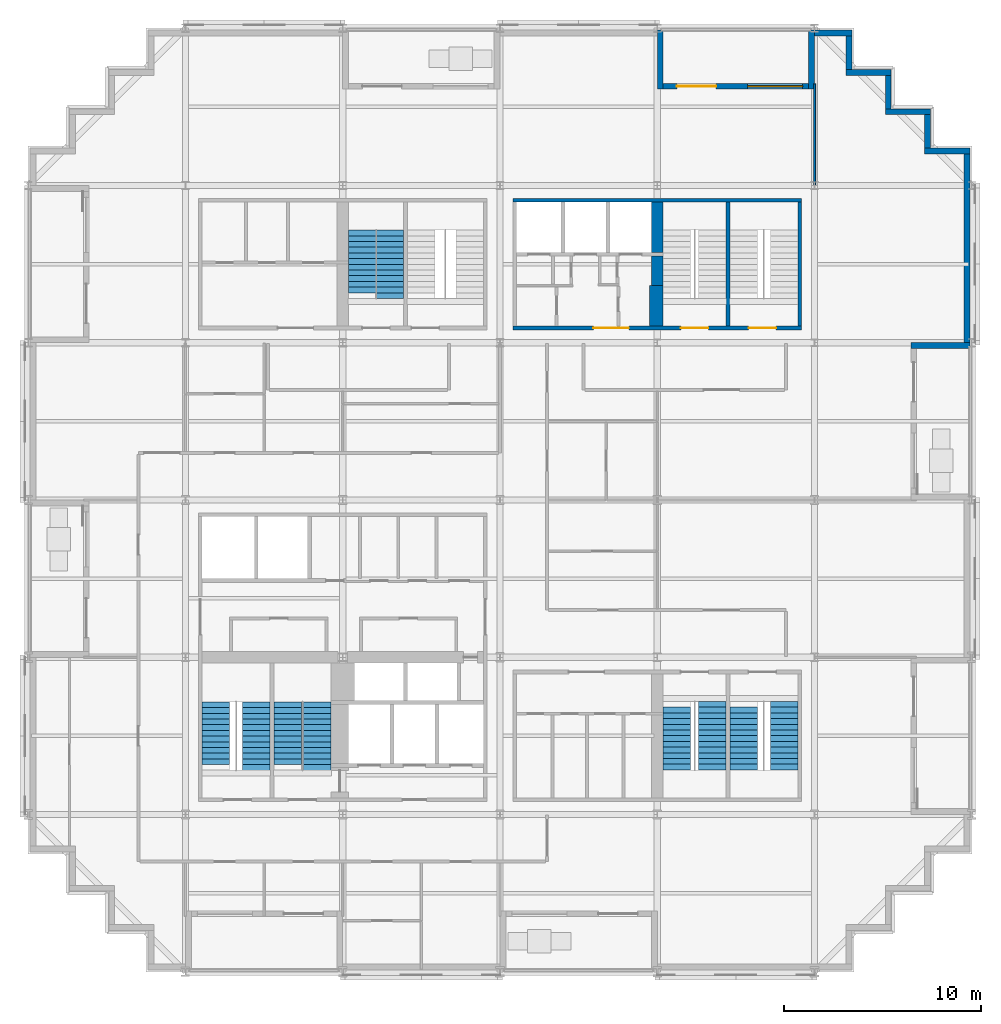
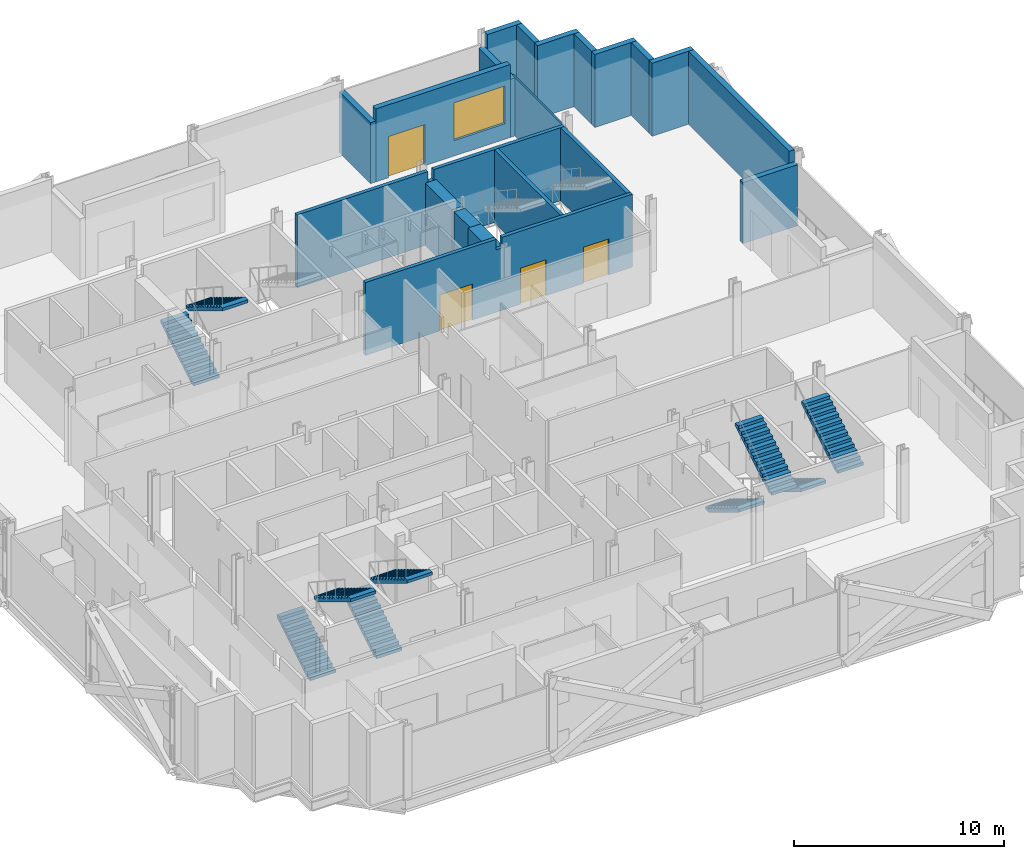
# One storey, part 10 of 14: 20 walls, 10 stair flights, 4 doors, 1 window, 5 openings, 5 elements without a shape of their own.
"""IFC4 building model written with IfcOpenShell, lengths in metres."""

from ifc_helpers import new_model, si_unit, direction, frame, frame_2d, origin, place, context, subcontext, project, spatial, polyline, rectangle, outline, extrude, material, layer, layer_set, type_object, element, fill, aggregate, save


model = new_model("IFC4")

# Units and contexts
model_context = context("Model", 3, precision=1e-05, world=origin(), true_north=direction((0.0, 1.0)))
body_context = subcontext(model_context, "Body", "Model", "MODEL_VIEW")
ifc_project = project(units=[si_unit("LENGTHUNIT", "METRE"), si_unit("AREAUNIT", "SQUARE_METRE"), si_unit("VOLUMEUNIT", "CUBIC_METRE"), si_unit("PLANEANGLEUNIT", "RADIAN"), si_unit("MASSUNIT", "GRAM", prefix="KILO")], contexts=[model_context])

# Site, building, storey
site_placement = place(None, origin())
site = spatial("IfcSite", under=ifc_project, at=site_placement, CompositionType="ELEMENT")
building_placement = place(site_placement, origin())
building = spatial("IfcBuilding", under=site, at=building_placement, Name="Immortelle Media Tower", CompositionType="ELEMENT")
storey_placement = place(building_placement, frame((0.0, 0.0, 39.199951171875)))
storey = spatial("IfcBuildingStorey", under=building, at=storey_placement, Name="L05", CompositionType="ELEMENT", Elevation=39.199951171875)

# Walls
ifc_material_1 = material(Name="Pale aluminium cladding panel", Category="aluminium")
ifc_layer_1 = layer(ifc_material_1, 0.030029296875)
ifc_material_2 = material(Name="Steel ASTM A653 SS Gr 50 stud frame with mineral wool", Category="steel")
ifc_layer_2 = layer(ifc_material_2, 0.257568359375)
ifc_material_3 = material(Name="Moisture-resistant gypsum board", Category="gypsum")
ifc_layer_3 = layer(ifc_material_3, 0.012451171875)
ifc_layer_set_1 = layer_set([ifc_layer_1, ifc_layer_2, ifc_layer_3], Name="Steel ASTM A653 SS Gr 50 stud frame with mineral wool")
wall_type_1 = type_object("IfcWallType", Name="Facade wall 300", PredefinedType="SOLIDWALL", material=ifc_layer_set_1)
wall_1_placement = place(storey_placement, frame((47.89990234375, 31.85009765625, 0.0), z_axis=(0.0, 0.0, 1.0), x_axis=(-1.0, 0.0, 0.0)))
element("IfcWall", 1, at=wall_1_placement, inside=storey, type_object=wall_type_1, Name="Loggia cheek wall L05 E", PredefinedType="SOLIDWALL", context=body_context, shape_type="SweptSolid", body=[
    extrude(rectangle(XDim=3.0, YDim=0.300048828125, at=frame_2d((1.5, 0.0))), origin(), (0.0, 0.0, 1.0), 3.552978515625),
])
wall_2_placement = place(storey_placement, frame((47.75, 32.0, 0.0), z_axis=(0.0, 0.0, 1.0), x_axis=(0.0, 1.0, 0.0)))
element("IfcWall", 2, at=wall_2_placement, inside=storey, type_object=wall_type_1, Name="Facade wall L05 E14", PredefinedType="SOLIDWALL", context=body_context, shape_type="SweptSolid", body=[
    extrude(rectangle(XDim=9.60009765625, YDim=0.300048828125, at=frame_2d((4.800048828125, 0.0))), origin(), (0.0, 0.0, 1.0), 4.25),
])
wall_3_placement = place(storey_placement, frame((47.89990234375, 41.75, 0.0), z_axis=(0.0, 0.0, 1.0), x_axis=(-1.0, 0.0, 0.0)))
element("IfcWall", 3, at=wall_3_placement, inside=storey, type_object=wall_type_1, Name="Facade wall L05 N15", PredefinedType="SOLIDWALL", context=body_context, shape_type="SweptSolid", body=[
    extrude(rectangle(XDim=2.2998046875, YDim=0.300048828125, at=frame_2d((1.14990234375, 0.0))), origin(), (0.0, 0.0, 1.0), 4.25),
])
wall_4_placement = place(storey_placement, frame((45.75, 41.89990234375, 0.0), z_axis=(0.0, 0.0, 1.0), x_axis=(0.0, 1.0, 0.0)))
element("IfcWall", 4, at=wall_4_placement, inside=storey, type_object=wall_type_1, Name="Facade wall L05 E16", PredefinedType="SOLIDWALL", context=body_context, shape_type="SweptSolid", body=[
    extrude(rectangle(XDim=1.7001953125, YDim=0.300048828125, at=frame_2d((0.85009765625, 0.0))), origin(), (0.0, 0.0, 1.0), 4.25),
])
wall_5_placement = place(storey_placement, frame((45.89990234375, 43.75, 0.0), z_axis=(0.0, 0.0, 1.0), x_axis=(-1.0, 0.0, 0.0)))
element("IfcWall", 5, at=wall_5_placement, inside=storey, type_object=wall_type_1, Name="Facade wall L05 N17", PredefinedType="SOLIDWALL", context=body_context, shape_type="SweptSolid", body=[
    extrude(rectangle(XDim=2.2998046875, YDim=0.300048828125, at=frame_2d((1.14990234375, 0.0))), origin(), (0.0, 0.0, 1.0), 4.25),
])
wall_6_placement = place(storey_placement, frame((43.75, 43.89990234375, 0.0), z_axis=(0.0, 0.0, 1.0), x_axis=(0.0, 1.0, 0.0)))
element("IfcWall", 6, at=wall_6_placement, inside=storey, type_object=wall_type_1, Name="Facade wall L05 E18", PredefinedType="SOLIDWALL", context=body_context, shape_type="SweptSolid", body=[
    extrude(rectangle(XDim=1.7001953125, YDim=0.300048828125, at=frame_2d((0.85009765625, 0.0))), origin(), (0.0, 0.0, 1.0), 4.25),
])
wall_7_placement = place(storey_placement, frame((43.89990234375, 45.75, 0.0), z_axis=(0.0, 0.0, 1.0), x_axis=(-1.0, 0.0, 0.0)))
element("IfcWall", 7, at=wall_7_placement, inside=storey, type_object=wall_type_1, Name="Facade wall L05 N19", PredefinedType="SOLIDWALL", context=body_context, shape_type="SweptSolid", body=[
    extrude(rectangle(XDim=2.2998046875, YDim=0.300048828125, at=frame_2d((1.14990234375, 0.0))), origin(), (0.0, 0.0, 1.0), 4.25),
])
wall_8_placement = place(storey_placement, frame((41.75, 45.89990234375, 0.0), z_axis=(0.0, 0.0, 1.0), x_axis=(0.0, 1.0, 0.0)))
element("IfcWall", 8, at=wall_8_placement, inside=storey, type_object=wall_type_1, Name="Facade wall L05 E20", PredefinedType="SOLIDWALL", context=body_context, shape_type="SweptSolid", body=[
    extrude(rectangle(XDim=1.7001953125, YDim=0.300048828125, at=frame_2d((0.85009765625, 0.0))), origin(), (0.0, 0.0, 1.0), 4.25),
])
wall_9_placement = place(storey_placement, frame((41.89990234375, 47.75, 0.0), z_axis=(0.0, 0.0, 1.0), x_axis=(-1.0, 0.0, 0.0)))
element("IfcWall", 9, at=wall_9_placement, inside=storey, type_object=wall_type_1, Name="Facade wall L05 N21", PredefinedType="SOLIDWALL", context=body_context, shape_type="SweptSolid", body=[
    extrude(rectangle(XDim=1.89990234375, YDim=0.300048828125, at=frame_2d((0.949951171875, 0.0))), origin(), (0.0, 0.0, 1.0), 4.25),
])

# Wall, openings, door, window
wall_10_placement = place(storey_placement, frame((39.699951171875, 45.050048828125, 0.0), z_axis=(0.0, 0.0, 1.0), x_axis=(-1.0, 0.0, 0.0)))
wall_10 = element("IfcWall", 10, at=wall_10_placement, inside=storey, type_object=wall_type_1, Name="Loggia wall L05 N21", PredefinedType="SOLIDWALL", context=body_context, shape_type="SweptSolid", body=[
    extrude(rectangle(XDim=7.39990234375, YDim=0.300048828125, at=frame_2d((3.699951171875, 0.0))), origin(), (0.0, 0.0, 1.0), 4.25),
])
opening_1_placement = place(wall_10_placement, frame((0.300048828125, 0.0, 0.89990234375)))
opening_1 = element("IfcOpeningElement", 11, at=opening_1_placement, cuts=wall_10, Name="Opening W1", PredefinedType="OPENING", context=body_context, shape_type="SweptSolid", body=[
    extrude(rectangle(XDim=2.800048828125, YDim=2.199951171875, at=frame_2d((1.39990234375, 1.10009765625))), frame((0.0, 0.159912109375, 0.0), z_axis=(0.0, -1.0, 0.0), x_axis=(1.0, 0.0, 0.0)), (0.0, 0.0, 1.0), 0.320068359375),
])
opening_2_placement = place(wall_10_placement, frame((4.699951171875, 0.0, 0.0)))
opening_2 = element("IfcOpeningElement", 12, at=opening_2_placement, cuts=wall_10, Name="Opening N1-E007", PredefinedType="OPENING", context=body_context, shape_type="SweptSolid", body=[
    extrude(rectangle(XDim=2.0, YDim=2.39990234375, at=frame_2d((1.0, 1.199951171875))), frame((0.0, 0.159912109375, 0.0), z_axis=(0.0, -1.0, 0.0), x_axis=(1.0, 0.0, 0.0)), (0.0, 0.0, 1.0), 0.320068359375),
])
ifc_material_4 = material(Name="Aluminium frame, glazed leaves", Category="aluminium")
door_type_1 = type_object("IfcDoorType", Name="Loggia door 2000 x 2400", OperationType="DOUBLE_DOOR_SINGLE_SWING", PredefinedType="DOOR", material=ifc_material_4)
door_1_placement = place(opening_2_placement, origin())
door_1 = element("IfcDoor", 13, at=door_1_placement, inside=storey, type_object=door_type_1, Name="Door N1-E007", OperationType="DOUBLE_DOOR_SINGLE_SWING", OverallHeight=2.39990234375, OverallWidth=2.0, PredefinedType="DOOR", context=body_context, shape_type="SweptSolid", body=[
    extrude(rectangle(XDim=2.0, YDim=2.39990234375, at=frame_2d((1.0, 1.199951171875))), frame((0.0, 0.02490234375, 0.0), z_axis=(0.0, -1.0, 0.0), x_axis=(1.0, 0.0, 0.0)), (0.0, 0.0, 1.0), 0.050048828125),
])
fill(opening_2, door_1)
ifc_material_5 = material(Name="Aluminium frame", Category="aluminium")
window_type = type_object("IfcWindowType", Name="Window 2800 x 2200", PartitioningType="SINGLE_PANEL", PredefinedType="WINDOW", material=ifc_material_5)
window_placement = place(opening_1_placement, origin())
window = element("IfcWindow", 14, at=window_placement, inside=storey, type_object=window_type, Name="Window L05 L05-R21-B0", OverallHeight=2.199951171875, OverallWidth=2.800048828125, PartitioningType="SINGLE_PANEL", PredefinedType="WINDOW", context=body_context, shape_type="SweptSolid", body=[
    extrude(rectangle(XDim=2.800048828125, YDim=2.199951171875, at=frame_2d((1.39990234375, 1.10009765625))), frame((0.0, 0.030029296875, 0.0), z_axis=(0.0, -1.0, 0.0), x_axis=(1.0, 0.0, 0.0)), (0.0, 0.0, 1.0), 0.06005859375),
])
fill(opening_1, window)

# Walls
wall_11_placement = place(storey_placement, frame((39.85009765625, 47.89990234375, 0.0), z_axis=(0.0, 0.0, 1.0), x_axis=(0.0, -1.0, 0.0)))
element("IfcWall", 15, at=wall_11_placement, inside=storey, type_object=wall_type_1, Name="Loggia cheek wall L05 N", PredefinedType="SOLIDWALL", context=body_context, shape_type="SweptSolid", body=[
    extrude(rectangle(XDim=3.0, YDim=0.300048828125, at=frame_2d((1.5, 0.0))), origin(), (0.0, 0.0, 1.0), 3.39013671875),
])
wall_12_placement = place(storey_placement, frame((32.14990234375, 47.89990234375, 0.0), z_axis=(0.0, 0.0, 1.0), x_axis=(0.0, -1.0, 0.0)))
element("IfcWall", 16, at=wall_12_placement, inside=storey, type_object=wall_type_1, Name="Loggia cheek wall L05 N", PredefinedType="SOLIDWALL", context=body_context, shape_type="SweptSolid", body=[
    extrude(rectangle(XDim=3.0, YDim=0.300048828125, at=frame_2d((1.5, 0.0))), origin(), (0.0, 0.0, 1.0), 3.552978515625),
])
ifc_material_6 = material(Name="Gypsum board", Category="gypsum")
ifc_layer_4 = layer(ifc_material_6, 0.012451171875)
ifc_layer_5 = layer(ifc_material_2, 0.074951171875)
ifc_layer_6 = layer(ifc_material_6, 0.012451171875)
ifc_layer_set_2 = layer_set([ifc_layer_4, ifc_layer_5, ifc_layer_6], Name="Steel ASTM A653 SS Gr 50 stud frame with mineral wool")
wall_type_2 = type_object("IfcWallType", Name="Partition 100", PredefinedType="PARTITIONING", material=ifc_layer_set_2)
wall_13_placement = place(storey_placement, frame((40.0, 40.030029296875, 0.0), z_axis=(0.0, 0.0, 1.0), x_axis=(0.0, 1.0, 0.0)))
element("IfcWall", 17, at=wall_13_placement, inside=storey, type_object=wall_type_2, Name="Partition L05-045", PredefinedType="PARTITIONING", context=body_context, shape_type="SweptSolid", body=[
    extrude(rectangle(XDim=5.139892578125, YDim=0.10009765625, at=frame_2d((2.56982421875, 0.0))), origin(), (0.0, 0.0, 1.0), 3.39111328125),
])

# Wall, openings, doors
ifc_material_7 = material(Name="Concrete C60", Category="concrete")
ifc_layer_7 = layer(ifc_material_7, 0.199951171875)
ifc_layer_set_3 = layer_set([ifc_layer_7], Name="Concrete C60")
wall_type_3 = type_object("IfcWallType", Name="Stair shaft wall 200", PredefinedType="PARTITIONING", material=ifc_layer_set_3)
wall_14_placement = place(storey_placement, frame((24.64990234375, 32.75, 0.0), z_axis=(0.0, 0.0, 1.0), x_axis=(1.0, 0.0, 0.0)))
wall_14 = element("IfcWall", 18, at=wall_14_placement, inside=storey, type_object=wall_type_3, Name="Stair shaft wall NE", PredefinedType="PARTITIONING", context=body_context, shape_type="SweptSolid", body=[
    extrude(outline(polyline([(0.0, 0.0), (14.7001953125, 0.0), (14.699951171875, 4.25), (7.51708984375, 4.25), (7.51611328125, 3.632080078125), (7.18408203125, 3.632080078125), (7.18310546875, 4.25), (0.0, 4.25), (0.0, 0.0)])), frame((0.0, 0.10009765625, 0.0), z_axis=(0.0, -1.0, 0.0), x_axis=(1.0, 0.0, 0.0)), (0.0, 0.0, 1.0), 0.199951171875),
])
opening_3_placement = place(wall_14_placement, frame((4.10009765625, 0.0, 0.0)))
opening_3 = element("IfcOpeningElement", 19, at=opening_3_placement, cuts=wall_14, Name="Opening N1-K030", PredefinedType="OPENING", context=body_context, shape_type="SweptSolid", body=[
    extrude(rectangle(XDim=1.800048828125, YDim=2.10009765625, at=frame_2d((0.89990234375, 1.050048828125))), frame((0.0, 0.10986328125, 0.0), z_axis=(0.0, -1.0, 0.0), x_axis=(1.0, 0.0, 0.0)), (0.0, 0.0, 1.0), 0.219970703125),
])
opening_4_placement = place(wall_14_placement, frame((8.550048828125, 0.0, 0.0)))
opening_4 = element("IfcOpeningElement", 20, at=opening_4_placement, cuts=wall_14, Name="Opening N1-K033", PredefinedType="OPENING", context=body_context, shape_type="SweptSolid", body=[
    extrude(rectangle(XDim=1.39990234375, YDim=2.10009765625, at=frame_2d((0.699951171875, 1.050048828125))), frame((0.0, 0.10986328125, 0.0), z_axis=(0.0, -1.0, 0.0), x_axis=(1.0, 0.0, 0.0)), (0.0, 0.0, 1.0), 0.219970703125),
])
opening_5_placement = place(wall_14_placement, frame((12.0, 0.0, 0.0)))
opening_5 = element("IfcOpeningElement", 21, at=opening_5_placement, cuts=wall_14, Name="Opening N1-K034", PredefinedType="OPENING", context=body_context, shape_type="SweptSolid", body=[
    extrude(rectangle(XDim=1.39990234375, YDim=2.10009765625, at=frame_2d((0.699951171875, 1.050048828125))), frame((0.0, 0.10986328125, 0.0), z_axis=(0.0, -1.0, 0.0), x_axis=(1.0, 0.0, 0.0)), (0.0, 0.0, 1.0), 0.219970703125),
])
ifc_material_8 = material(Name="Galvanised steel door leaf and frame ASTM A653", Category="steel")
door_type_2 = type_object("IfcDoorType", Name="Lift lobby door 1800 x 2100", OperationType="DOUBLE_DOOR_SINGLE_SWING", PredefinedType="NOTDEFINED", material=ifc_material_8)
door_2_placement = place(opening_3_placement, origin())
door_2 = element("IfcDoor", 22, at=door_2_placement, inside=storey, type_object=door_type_2, Name="Lift lobby N1-K030", OperationType="DOUBLE_DOOR_SINGLE_SWING", OverallHeight=2.10009765625, OverallWidth=1.800048828125, PredefinedType="NOTDEFINED", context=body_context, shape_type="SweptSolid", body=[
    extrude(rectangle(XDim=1.800048828125, YDim=2.10009765625, at=frame_2d((0.89990234375, 1.050048828125))), frame((0.0, 0.02490234375, 0.0), z_axis=(0.0, -1.0, 0.0), x_axis=(1.0, 0.0, 0.0)), (0.0, 0.0, 1.0), 0.050048828125),
])
fill(opening_3, door_2)
door_type_3 = type_object("IfcDoorType", Name="Stair door 1400 x 2100", OperationType="DOUBLE_DOOR_SINGLE_SWING", PredefinedType="NOTDEFINED", material=ifc_material_8)
door_3_placement = place(opening_4_placement, origin())
door_3 = element("IfcDoor", 23, at=door_3_placement, inside=storey, type_object=door_type_3, Name="Stair N1-K033", OperationType="DOUBLE_DOOR_SINGLE_SWING", OverallHeight=2.10009765625, OverallWidth=1.39990234375, PredefinedType="NOTDEFINED", context=body_context, shape_type="SweptSolid", body=[
    extrude(rectangle(XDim=1.39990234375, YDim=2.10009765625, at=frame_2d((0.699951171875, 1.050048828125))), frame((0.0, 0.02490234375, 0.0), z_axis=(0.0, -1.0, 0.0), x_axis=(1.0, 0.0, 0.0)), (0.0, 0.0, 1.0), 0.050048828125),
])
fill(opening_4, door_3)
door_4_placement = place(opening_5_placement, origin())
door_4 = element("IfcDoor", 24, at=door_4_placement, inside=storey, type_object=door_type_3, Name="Stair N1-K034", OperationType="DOUBLE_DOOR_SINGLE_SWING", OverallHeight=2.10009765625, OverallWidth=1.39990234375, PredefinedType="NOTDEFINED", context=body_context, shape_type="SweptSolid", body=[
    extrude(rectangle(XDim=1.39990234375, YDim=2.10009765625, at=frame_2d((0.699951171875, 1.050048828125))), frame((0.0, 0.02490234375, 0.0), z_axis=(0.0, -1.0, 0.0), x_axis=(1.0, 0.0, 0.0)), (0.0, 0.0, 1.0), 0.050048828125),
])
fill(opening_5, door_4)

# Walls
wall_15_placement = place(storey_placement, frame((24.64990234375, 39.25, 0.0), z_axis=(0.0, 0.0, 1.0), x_axis=(1.0, 0.0, 0.0)))
element("IfcWall", 25, at=wall_15_placement, inside=storey, type_object=wall_type_3, Name="Stair shaft wall NE", PredefinedType="PARTITIONING", context=body_context, shape_type="SweptSolid", body=[
    extrude(outline(polyline([(0.0, 0.0), (14.7001953125, 0.0), (14.699951171875, 4.25), (7.51708984375, 4.25), (7.51611328125, 3.632080078125), (7.18408203125, 3.632080078125), (7.18310546875, 4.25), (0.0, 4.25), (0.0, 0.0)])), frame((0.0, 0.10009765625, 0.0), z_axis=(0.0, -1.0, 0.0), x_axis=(1.0, 0.0, 0.0)), (0.0, 0.0, 1.0), 0.199951171875),
])
for number, where, z_axis, x_axis, name in (
    (26, (35.60009765625, 32.85009765625, 0.0), (0.0, 0.0, 1.0), (0.0, 1.0, 0.0), "Stair shaft wall NE"),
    (27, (39.25, 32.85009765625, 0.0), (0.0, 0.0, 1.0), (0.0, 1.0, 0.0), "Stair shaft wall NE"),
):
    element("IfcWall", number, at=place(storey_placement, frame(where, z_axis=z_axis, x_axis=x_axis)), inside=storey, type_object=wall_type_3, Name=name, PredefinedType="PARTITIONING", context=body_context, shape_type="SweptSolid", body=[
        extrude(rectangle(XDim=6.2998046875, YDim=0.199951171875, at=frame_2d((3.14990234375, 0.0))), origin(), (0.0, 0.0, 1.0), 4.25),
    ])
ifc_layer_8 = layer(ifc_material_7, 0.60009765625)
ifc_layer_set_4 = layer_set([ifc_layer_8], Name="Concrete C60")
wall_type_4 = type_object("IfcWallType", Name="Stair shaft wall 600", PredefinedType="PARTITIONING", material=ifc_layer_set_4)
wall_16_placement = place(storey_placement, frame((32.0, 34.89990234375, 0.0), z_axis=(0.0, 0.0, 1.0), x_axis=(0.0, 1.0, 0.0)))
element("IfcWall", 28, at=wall_16_placement, inside=storey, type_object=wall_type_4, Name="Stair shaft wall NE", PredefinedType="PARTITIONING", context=body_context, shape_type="SweptSolid", body=[
    extrude(rectangle(XDim=1.5, YDim=0.60009765625, at=frame_2d((0.75, 0.0))), origin(), (0.0, 0.0, 1.0), 3.632080078125),
])
wall_17_placement = place(storey_placement, frame((32.0, 36.60009765625, 0.0), z_axis=(0.0, 0.0, 1.0), x_axis=(0.0, 1.0, 0.0)))
element("IfcWall", 29, at=wall_17_placement, inside=storey, type_object=wall_type_4, Name="Stair shaft wall NE", PredefinedType="PARTITIONING", context=body_context, shape_type="SweptSolid", body=[
    extrude(rectangle(XDim=2.5498046875, YDim=0.60009765625, at=frame_2d((1.27490234375, 0.0))), origin(), (0.0, 0.0, 1.0), 3.632080078125),
])
ifc_layer_9 = layer(ifc_material_7, 0.699951171875)
ifc_layer_set_5 = layer_set([ifc_layer_9], Name="Concrete C60")
wall_type_5 = type_object("IfcWallType", Name="Stair shaft wall 700", PredefinedType="PARTITIONING", material=ifc_layer_set_5)
wall_18_placement = place(storey_placement, frame((31.949951171875, 32.85009765625, 0.0), z_axis=(0.0, 0.0, 1.0), x_axis=(0.0, 1.0, 0.0)))
element("IfcWall", 30, at=wall_18_placement, inside=storey, type_object=wall_type_5, Name="Stair shaft wall NE", PredefinedType="PARTITIONING", context=body_context, shape_type="SweptSolid", body=[
    extrude(rectangle(XDim=2.0498046875, YDim=0.699951171875, at=frame_2d((1.02490234375, 0.0))), origin(), (0.0, 0.0, 1.0), 3.632080078125),
])

# Stair, stair flights
ifc_material_9 = material(Name="Steel ASTM A992 Gr 50", Category="steel")
stair_type = type_object("IfcStairType", Name="Stair with flights", PredefinedType="DOUBLE_RETURN_STAIR", material=ifc_material_9)
stair_1_placement = place(storey_placement, origin())
stair_1 = element("IfcStair", 31, at=stair_1_placement, inside=storey, type_object=stair_type, Name="Exit stair SW1", PredefinedType="DOUBLE_RETURN_STAIR")
stair_flight_type = type_object("IfcStairFlightType", Name="Stair flight 1400", PredefinedType="STRAIGHT", material=ifc_material_9)
stair_flight_1_placement = place(storey_placement, frame((9.550048828125, 10.5400390625, 0.0), z_axis=(0.0, 0.0, 1.0), x_axis=(0.0, 1.0, 0.0)))
stair_flight_1 = element("IfcStairFlight", 32, at=stair_flight_1_placement, type_object=stair_flight_type, Name="ST SW1 flight 1", NumberOfRisers=12, NumberOfTreads=11, PredefinedType="STRAIGHT", RiserHeight=0.176, TreadLength=0.29, context=body_context, shape_type="SweptSolid", body=[
    extrude(outline(polyline([(0.0, 0.0), (0.0, 0.176025390625), (0.2900390625, 0.176025390625), (0.2900390625, 0.35205078125), (0.580078125, 0.35205078125), (0.580078125, 0.528076171875), (0.8701171875, 0.528076171875), (0.8701171875, 0.7041015625), (1.159912109375, 0.7041015625), (1.159912109375, 0.8798828125), (1.449951171875, 0.8798828125), (1.449951171875, 1.055908203125), (1.739990234375, 1.055908203125), (1.739990234375, 1.23193359375), (2.030029296875, 1.23193359375), (2.030029296875, 1.407958984375), (2.320068359375, 1.407958984375), (2.320068359375, 1.583984375), (2.610107421875, 1.583984375), (2.610107421875, 1.760009765625), (2.89990234375, 1.760009765625), (2.89990234375, 1.93603515625), (3.18994140625, 1.93603515625), (3.18994140625, 2.112060546875), (3.18994140625, 1.7607421875), (0.288818359375, 0.0), (0.0, 0.0)])), frame((0.0, 0.699951171875, 0.0), z_axis=(0.0, -1.0, 0.0), x_axis=(1.0, 0.0, 0.0)), (0.0, 0.0, 1.0), 1.39990234375),
])
stair_flight_2_placement = place(storey_placement, frame((11.60009765625, 13.72998046875, 2.112060546875), z_axis=(0.0, 0.0, 1.0), x_axis=(0.0, -1.0, 0.0)))
stair_flight_2 = element("IfcStairFlight", 33, at=stair_flight_2_placement, type_object=stair_flight_type, Name="ST SW1 flight 2", NumberOfRisers=13, NumberOfTreads=12, PredefinedType="STRAIGHT", RiserHeight=0.176, TreadLength=0.29, context=body_context, shape_type="SweptSolid", body=[
    extrude(outline(polyline([(0.0, 0.0), (0.0, 0.176025390625), (0.2900390625, 0.176025390625), (0.2900390625, 0.35205078125), (0.580078125, 0.35205078125), (0.580078125, 0.528076171875), (0.8701171875, 0.528076171875), (0.8701171875, 0.7041015625), (1.159912109375, 0.7041015625), (1.159912109375, 0.8798828125), (1.449951171875, 0.8798828125), (1.449951171875, 1.055908203125), (1.739990234375, 1.055908203125), (1.739990234375, 1.23193359375), (2.030029296875, 1.23193359375), (2.030029296875, 1.407958984375), (2.320068359375, 1.407958984375), (2.320068359375, 1.583984375), (2.610107421875, 1.583984375), (2.610107421875, 1.760009765625), (2.89990234375, 1.760009765625), (2.89990234375, 1.93603515625), (3.18994140625, 1.93603515625), (3.18994140625, 2.112060546875), (3.47998046875, 2.112060546875), (3.47998046875, 2.2880859375), (3.47998046875, 1.936767578125), (0.288818359375, 0.0), (0.0, 0.0)])), frame((0.0, 0.699951171875, 0.0), z_axis=(0.0, -1.0, 0.0), x_axis=(1.0, 0.0, 0.0)), (0.0, 0.0, 1.0), 1.39990234375),
])
aggregate(stair_1, [stair_flight_1, stair_flight_2])

stair_2_placement = place(storey_placement, origin())
stair_2 = element("IfcStair", 34, at=stair_2_placement, inside=storey, type_object=stair_type, Name="Exit stair SW2", PredefinedType="DOUBLE_RETURN_STAIR")
stair_flight_3_placement = place(storey_placement, frame((13.199951171875, 10.5400390625, 0.0), z_axis=(0.0, 0.0, 1.0), x_axis=(0.0, 1.0, 0.0)))
stair_flight_3 = element("IfcStairFlight", 35, at=stair_flight_3_placement, type_object=stair_flight_type, Name="ST SW2 flight 1", NumberOfRisers=12, NumberOfTreads=11, PredefinedType="STRAIGHT", RiserHeight=0.176, TreadLength=0.29, context=body_context, shape_type="SweptSolid", body=[
    extrude(outline(polyline([(0.0, 0.0), (0.0, 0.176025390625), (0.2900390625, 0.176025390625), (0.2900390625, 0.35205078125), (0.580078125, 0.35205078125), (0.580078125, 0.528076171875), (0.8701171875, 0.528076171875), (0.8701171875, 0.7041015625), (1.159912109375, 0.7041015625), (1.159912109375, 0.8798828125), (1.449951171875, 0.8798828125), (1.449951171875, 1.055908203125), (1.739990234375, 1.055908203125), (1.739990234375, 1.23193359375), (2.030029296875, 1.23193359375), (2.030029296875, 1.407958984375), (2.320068359375, 1.407958984375), (2.320068359375, 1.583984375), (2.610107421875, 1.583984375), (2.610107421875, 1.760009765625), (2.89990234375, 1.760009765625), (2.89990234375, 1.93603515625), (3.18994140625, 1.93603515625), (3.18994140625, 2.112060546875), (3.18994140625, 1.7607421875), (0.288818359375, 0.0), (0.0, 0.0)])), frame((0.0, 0.699951171875, 0.0), z_axis=(0.0, -1.0, 0.0), x_axis=(1.0, 0.0, 0.0)), (0.0, 0.0, 1.0), 1.39990234375),
])
stair_flight_4_placement = place(storey_placement, frame((14.699951171875, 13.72998046875, 2.112060546875), z_axis=(0.0, 0.0, 1.0), x_axis=(0.0, -1.0, 0.0)))
stair_flight_4 = element("IfcStairFlight", 36, at=stair_flight_4_placement, type_object=stair_flight_type, Name="ST SW2 flight 2", NumberOfRisers=13, NumberOfTreads=12, PredefinedType="STRAIGHT", RiserHeight=0.176, TreadLength=0.29, context=body_context, shape_type="SweptSolid", body=[
    extrude(outline(polyline([(0.0, 0.0), (0.0, 0.176025390625), (0.2900390625, 0.176025390625), (0.2900390625, 0.35205078125), (0.580078125, 0.35205078125), (0.580078125, 0.528076171875), (0.8701171875, 0.528076171875), (0.8701171875, 0.7041015625), (1.159912109375, 0.7041015625), (1.159912109375, 0.8798828125), (1.449951171875, 0.8798828125), (1.449951171875, 1.055908203125), (1.739990234375, 1.055908203125), (1.739990234375, 1.23193359375), (2.030029296875, 1.23193359375), (2.030029296875, 1.407958984375), (2.320068359375, 1.407958984375), (2.320068359375, 1.583984375), (2.610107421875, 1.583984375), (2.610107421875, 1.760009765625), (2.89990234375, 1.760009765625), (2.89990234375, 1.93603515625), (3.18994140625, 1.93603515625), (3.18994140625, 2.112060546875), (3.47998046875, 2.112060546875), (3.47998046875, 2.2880859375), (3.47998046875, 1.936767578125), (0.288818359375, 0.0), (0.0, 0.0)])), frame((0.0, 0.699951171875, 0.0), z_axis=(0.0, -1.0, 0.0), x_axis=(1.0, 0.0, 0.0)), (0.0, 0.0, 1.0), 1.39990234375),
])
aggregate(stair_2, [stair_flight_3, stair_flight_4])

stair_3_placement = place(storey_placement, origin())
stair_3 = element("IfcStair", 37, at=stair_3_placement, inside=storey, type_object=stair_type, Name="Exit stair SE1", PredefinedType="DOUBLE_RETURN_STAIR")
stair_flight_5_placement = place(storey_placement, frame((33.0, 13.4599609375, 0.0), z_axis=(0.0, 0.0, 1.0), x_axis=(0.0, -1.0, 0.0)))
stair_flight_5 = element("IfcStairFlight", 38, at=stair_flight_5_placement, type_object=stair_flight_type, Name="ST SE1 flight 1", NumberOfRisers=12, NumberOfTreads=11, PredefinedType="STRAIGHT", RiserHeight=0.176, TreadLength=0.29, context=body_context, shape_type="SweptSolid", body=[
    extrude(outline(polyline([(0.0, 0.0), (0.0, 0.176025390625), (0.2900390625, 0.176025390625), (0.2900390625, 0.35205078125), (0.580078125, 0.35205078125), (0.580078125, 0.528076171875), (0.8701171875, 0.528076171875), (0.8701171875, 0.7041015625), (1.159912109375, 0.7041015625), (1.159912109375, 0.8798828125), (1.449951171875, 0.8798828125), (1.449951171875, 1.055908203125), (1.739990234375, 1.055908203125), (1.739990234375, 1.23193359375), (2.030029296875, 1.23193359375), (2.030029296875, 1.407958984375), (2.320068359375, 1.407958984375), (2.320068359375, 1.583984375), (2.610107421875, 1.583984375), (2.610107421875, 1.760009765625), (2.89990234375, 1.760009765625), (2.89990234375, 1.93603515625), (3.18994140625, 1.93603515625), (3.18994140625, 2.112060546875), (3.18994140625, 1.7607421875), (0.288818359375, 0.0), (0.0, 0.0)])), frame((0.0, 0.699951171875, 0.0), z_axis=(0.0, -1.0, 0.0), x_axis=(1.0, 0.0, 0.0)), (0.0, 0.0, 1.0), 1.39990234375),
])
stair_flight_6_placement = place(storey_placement, frame((34.800048828125, 10.27001953125, 2.112060546875), z_axis=(0.0, 0.0, 1.0), x_axis=(0.0, 1.0, 0.0)))
stair_flight_6 = element("IfcStairFlight", 39, at=stair_flight_6_placement, type_object=stair_flight_type, Name="ST SE1 flight 2", NumberOfRisers=13, NumberOfTreads=12, PredefinedType="STRAIGHT", RiserHeight=0.176, TreadLength=0.29, context=body_context, shape_type="SweptSolid", body=[
    extrude(outline(polyline([(0.0, 0.0), (0.0, 0.176025390625), (0.2900390625, 0.176025390625), (0.2900390625, 0.35205078125), (0.580078125, 0.35205078125), (0.580078125, 0.528076171875), (0.8701171875, 0.528076171875), (0.8701171875, 0.7041015625), (1.159912109375, 0.7041015625), (1.159912109375, 0.8798828125), (1.449951171875, 0.8798828125), (1.449951171875, 1.055908203125), (1.739990234375, 1.055908203125), (1.739990234375, 1.23193359375), (2.030029296875, 1.23193359375), (2.030029296875, 1.407958984375), (2.320068359375, 1.407958984375), (2.320068359375, 1.583984375), (2.610107421875, 1.583984375), (2.610107421875, 1.760009765625), (2.89990234375, 1.760009765625), (2.89990234375, 1.93603515625), (3.18994140625, 1.93603515625), (3.18994140625, 2.112060546875), (3.47998046875, 2.112060546875), (3.47998046875, 2.2880859375), (3.47998046875, 1.936767578125), (0.288818359375, 0.0), (0.0, 0.0)])), frame((0.0, 0.699951171875, 0.0), z_axis=(0.0, -1.0, 0.0), x_axis=(1.0, 0.0, 0.0)), (0.0, 0.0, 1.0), 1.39990234375),
])
aggregate(stair_3, [stair_flight_5, stair_flight_6])

stair_4_placement = place(storey_placement, origin())
stair_4 = element("IfcStair", 40, at=stair_4_placement, inside=storey, type_object=stair_type, Name="Exit stair SE2", PredefinedType="DOUBLE_RETURN_STAIR")
stair_flight_7_placement = place(storey_placement, frame((36.39990234375, 13.4599609375, 0.0), z_axis=(0.0, 0.0, 1.0), x_axis=(0.0, -1.0, 0.0)))
stair_flight_7 = element("IfcStairFlight", 41, at=stair_flight_7_placement, type_object=stair_flight_type, Name="ST SE2 flight 1", NumberOfRisers=12, NumberOfTreads=11, PredefinedType="STRAIGHT", RiserHeight=0.176, TreadLength=0.29, context=body_context, shape_type="SweptSolid", body=[
    extrude(outline(polyline([(0.0, 0.0), (0.0, 0.176025390625), (0.2900390625, 0.176025390625), (0.2900390625, 0.35205078125), (0.580078125, 0.35205078125), (0.580078125, 0.528076171875), (0.8701171875, 0.528076171875), (0.8701171875, 0.7041015625), (1.159912109375, 0.7041015625), (1.159912109375, 0.8798828125), (1.449951171875, 0.8798828125), (1.449951171875, 1.055908203125), (1.739990234375, 1.055908203125), (1.739990234375, 1.23193359375), (2.030029296875, 1.23193359375), (2.030029296875, 1.407958984375), (2.320068359375, 1.407958984375), (2.320068359375, 1.583984375), (2.610107421875, 1.583984375), (2.610107421875, 1.760009765625), (2.89990234375, 1.760009765625), (2.89990234375, 1.93603515625), (3.18994140625, 1.93603515625), (3.18994140625, 2.112060546875), (3.18994140625, 1.7607421875), (0.288818359375, 0.0), (0.0, 0.0)])), frame((0.0, 0.699951171875, 0.0), z_axis=(0.0, -1.0, 0.0), x_axis=(1.0, 0.0, 0.0)), (0.0, 0.0, 1.0), 1.39990234375),
])
stair_flight_8_placement = place(storey_placement, frame((38.449951171875, 10.27001953125, 2.112060546875), z_axis=(0.0, 0.0, 1.0), x_axis=(0.0, 1.0, 0.0)))
stair_flight_8 = element("IfcStairFlight", 42, at=stair_flight_8_placement, type_object=stair_flight_type, Name="ST SE2 flight 2", NumberOfRisers=13, NumberOfTreads=12, PredefinedType="STRAIGHT", RiserHeight=0.176, TreadLength=0.29, context=body_context, shape_type="SweptSolid", body=[
    extrude(outline(polyline([(0.0, 0.0), (0.0, 0.176025390625), (0.2900390625, 0.176025390625), (0.2900390625, 0.35205078125), (0.580078125, 0.35205078125), (0.580078125, 0.528076171875), (0.8701171875, 0.528076171875), (0.8701171875, 0.7041015625), (1.159912109375, 0.7041015625), (1.159912109375, 0.8798828125), (1.449951171875, 0.8798828125), (1.449951171875, 1.055908203125), (1.739990234375, 1.055908203125), (1.739990234375, 1.23193359375), (2.030029296875, 1.23193359375), (2.030029296875, 1.407958984375), (2.320068359375, 1.407958984375), (2.320068359375, 1.583984375), (2.610107421875, 1.583984375), (2.610107421875, 1.760009765625), (2.89990234375, 1.760009765625), (2.89990234375, 1.93603515625), (3.18994140625, 1.93603515625), (3.18994140625, 2.112060546875), (3.47998046875, 2.112060546875), (3.47998046875, 2.2880859375), (3.47998046875, 1.936767578125), (0.288818359375, 0.0), (0.0, 0.0)])), frame((0.0, 0.699951171875, 0.0), z_axis=(0.0, -1.0, 0.0), x_axis=(1.0, 0.0, 0.0)), (0.0, 0.0, 1.0), 1.39990234375),
])
aggregate(stair_4, [stair_flight_7, stair_flight_8])

stair_5_placement = place(storey_placement, origin())
stair_5 = element("IfcStair", 43, at=stair_5_placement, inside=storey, type_object=stair_type, Name="Exit stair NW1", PredefinedType="DOUBLE_RETURN_STAIR")
stair_flight_9_placement = place(storey_placement, frame((17.0, 34.5400390625, 0.0), z_axis=(0.0, 0.0, 1.0), x_axis=(0.0, 1.0, 0.0)))
stair_flight_9 = element("IfcStairFlight", 44, at=stair_flight_9_placement, type_object=stair_flight_type, Name="ST NW1 flight 1", NumberOfRisers=12, NumberOfTreads=11, PredefinedType="STRAIGHT", RiserHeight=0.176, TreadLength=0.29, context=body_context, shape_type="SweptSolid", body=[
    extrude(outline(polyline([(0.0, 0.0), (0.0, 0.176025390625), (0.2900390625, 0.176025390625), (0.2900390625, 0.35205078125), (0.580078125, 0.35205078125), (0.580078125, 0.528076171875), (0.8701171875, 0.528076171875), (0.8701171875, 0.7041015625), (1.159912109375, 0.7041015625), (1.159912109375, 0.8798828125), (1.449951171875, 0.8798828125), (1.449951171875, 1.055908203125), (1.739990234375, 1.055908203125), (1.739990234375, 1.23193359375), (2.030029296875, 1.23193359375), (2.030029296875, 1.407958984375), (2.320068359375, 1.407958984375), (2.320068359375, 1.583984375), (2.610107421875, 1.583984375), (2.610107421875, 1.760009765625), (2.89990234375, 1.760009765625), (2.89990234375, 1.93603515625), (3.18994140625, 1.93603515625), (3.18994140625, 2.112060546875), (3.18994140625, 1.7607421875), (0.288818359375, 0.0), (0.0, 0.0)])), frame((0.0, 0.699951171875, 0.0), z_axis=(0.0, -1.0, 0.0), x_axis=(1.0, 0.0, 0.0)), (0.0, 0.0, 1.0), 1.39990234375),
])
stair_flight_10_placement = place(storey_placement, frame((18.39990234375, 37.72998046875, 2.112060546875), z_axis=(0.0, 0.0, 1.0), x_axis=(0.0, -1.0, 0.0)))
stair_flight_10 = element("IfcStairFlight", 45, at=stair_flight_10_placement, type_object=stair_flight_type, Name="ST NW1 flight 2", NumberOfRisers=13, NumberOfTreads=12, PredefinedType="STRAIGHT", RiserHeight=0.176, TreadLength=0.29, context=body_context, shape_type="SweptSolid", body=[
    extrude(outline(polyline([(0.0, 0.0), (0.0, 0.176025390625), (0.2900390625, 0.176025390625), (0.2900390625, 0.35205078125), (0.580078125, 0.35205078125), (0.580078125, 0.528076171875), (0.8701171875, 0.528076171875), (0.8701171875, 0.7041015625), (1.159912109375, 0.7041015625), (1.159912109375, 0.8798828125), (1.449951171875, 0.8798828125), (1.449951171875, 1.055908203125), (1.739990234375, 1.055908203125), (1.739990234375, 1.23193359375), (2.030029296875, 1.23193359375), (2.030029296875, 1.407958984375), (2.320068359375, 1.407958984375), (2.320068359375, 1.583984375), (2.610107421875, 1.583984375), (2.610107421875, 1.760009765625), (2.89990234375, 1.760009765625), (2.89990234375, 1.93603515625), (3.18994140625, 1.93603515625), (3.18994140625, 2.112060546875), (3.47998046875, 2.112060546875), (3.47998046875, 2.2880859375), (3.47998046875, 1.936767578125), (0.288818359375, 0.0), (0.0, 0.0)])), frame((0.0, 0.699951171875, 0.0), z_axis=(0.0, -1.0, 0.0), x_axis=(1.0, 0.0, 0.0)), (0.0, 0.0, 1.0), 1.39990234375),
])
aggregate(stair_5, [stair_flight_9, stair_flight_10])

save(model, "model.ifc")
